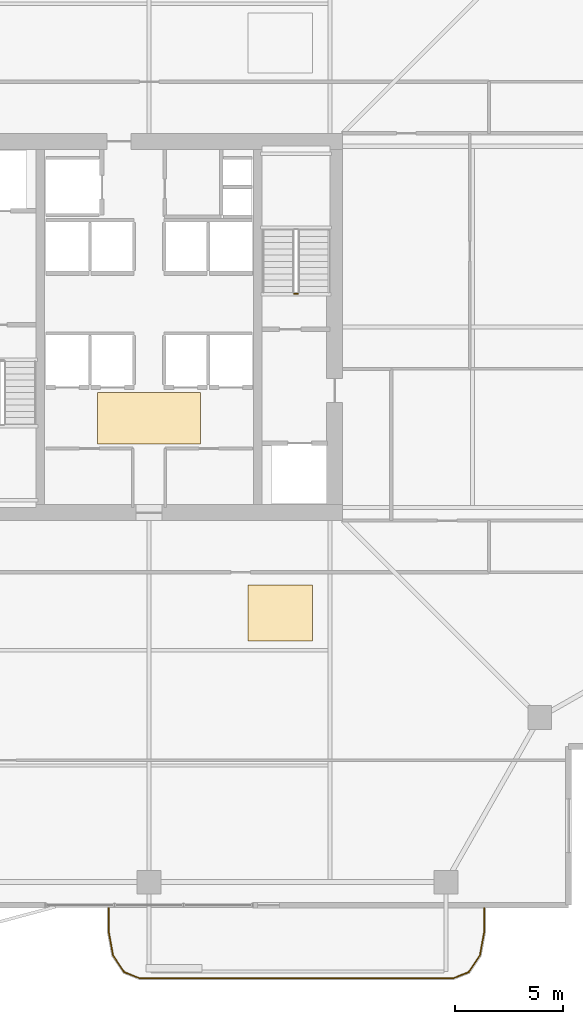
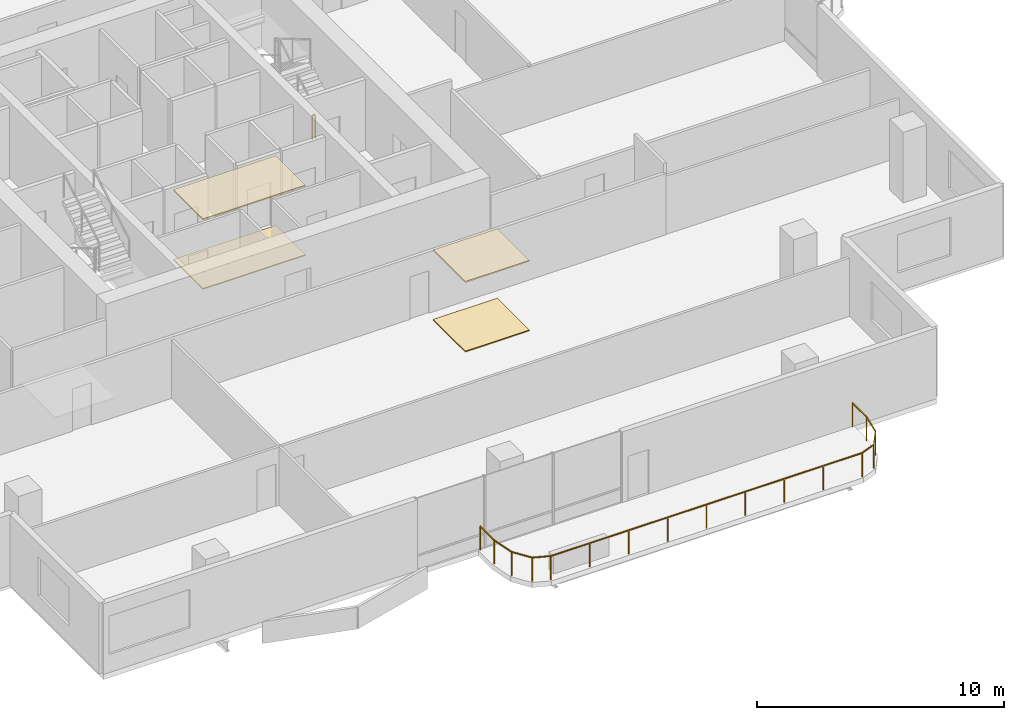
# One storey, part 22 of 24: 4 coverings, 2 railings.
"""IFC4 building model written with IfcOpenShell, lengths in metres."""

from ifc_helpers import new_model, si_unit, direction, frame, origin, origin_2d, place, context, subcontext, project, spatial, polyline, rectangle, outline, extrude, material, layer, layer_set, type_object, element, save


model = new_model("IFC4")

# Units and contexts
model_context = context("Model", 3, precision=1e-05, world=origin(), true_north=direction((0.0, 1.0)))
body_context = subcontext(model_context, "Body", "Model", "MODEL_VIEW")
ifc_project = project(units=[si_unit("LENGTHUNIT", "METRE"), si_unit("AREAUNIT", "SQUARE_METRE"), si_unit("VOLUMEUNIT", "CUBIC_METRE"), si_unit("PLANEANGLEUNIT", "RADIAN"), si_unit("MASSUNIT", "GRAM", prefix="KILO")], contexts=[model_context])

# Site, building, storey
site_placement = place(None, origin())
site = spatial("IfcSite", under=ifc_project, at=site_placement, CompositionType="ELEMENT")
building_placement = place(site_placement, origin())
building = spatial("IfcBuilding", under=site, at=building_placement, Name="Belovzor Exchange Tower", CompositionType="ELEMENT")
storey_placement = place(building_placement, frame((0.0, 0.0, 214.949951171875)))
storey = spatial("IfcBuildingStorey", under=building, at=storey_placement, Name="L53", CompositionType="ELEMENT", Elevation=214.949951171875)

# Railings
ifc_material_1 = material(Name="Stainless Steel and Laminated Safety Glass", Category="steel")
railing_type_1 = type_object("IfcRailingType", Name="Laminated Glass & Stainless Steel Balcony Balustrade 1200", PredefinedType="BALUSTRADE", material=ifc_material_1)
railing_1_placement = place(storey_placement, frame((26.929931640625, 1.7900390625, 0.0)))
element("IfcRailing", 1, at=railing_1_placement, inside=storey, type_object=railing_type_1, Name="GR-1 Balcony Balustrade L53 South", PredefinedType="BALUSTRADE", context=body_context, shape_type="SweptSolid", body=[
    extrude(rectangle(XDim=0.048095703125, YDim=0.048095703125, at=origin_2d()), frame((0.0, 0.0, 1.17578125), z_axis=(0.0, -1.0, 0.0), x_axis=(1.0, 0.0, 0.0)), (0.0, 0.0, 1.0), 1.133056640625),
    extrude(rectangle(XDim=0.048095703125, YDim=0.048095703125, at=origin_2d()), frame((0.0, -1.133056640625, 1.17578125), z_axis=(0.180122719713, -0.983644145941, 0.0), x_axis=(0.983644145941, 0.180122719713, 0.0)), (0.0, 0.0, 1.0), 1.09375),
    extrude(rectangle(XDim=0.048095703125, YDim=0.048095703125, at=origin_2d()), frame((0.197021484375, -2.208984375, 1.17578125), z_axis=(0.56294695933, -0.826493025367, 0.0), x_axis=(0.826493025367, 0.56294695933, 0.0)), (0.0, 0.0, 1.0), 0.932861328125),
    extrude(rectangle(XDim=0.048095703125, YDim=0.048095703125, at=origin_2d()), frame((0.72216796875, -2.97998046875, 1.17578125), z_axis=(0.930766990125, -0.365612923861, 0.0), x_axis=(0.365612923861, 0.930766990125, 0.0)), (0.0, 0.0, 1.0), 0.765869140625),
    extrude(rectangle(XDim=0.048095703125, YDim=0.048095703125, at=origin_2d()), frame((1.43505859375, -3.260009765625, 1.17578125), z_axis=(1.0, 0.0, 0.0), x_axis=(0.0, 1.0, 0.0)), (0.0, 0.0, 1.0), 14.570068359375),
    extrude(rectangle(XDim=0.048095703125, YDim=0.048095703125, at=origin_2d()), frame((16.005126953125, -3.260009765625, 1.17578125), z_axis=(0.930766990125, 0.365612923861, 0.0), x_axis=(-0.365612923861, 0.930766990125, 0.0)), (0.0, 0.0, 1.0), 0.765869140625),
    extrude(rectangle(XDim=0.048095703125, YDim=0.048095703125, at=origin_2d()), frame((16.718017578125, -2.97998046875, 1.17578125), z_axis=(0.56294695933, 0.826493025367, 0.0), x_axis=(-0.826493025367, 0.56294695933, 0.0)), (0.0, 0.0, 1.0), 0.932861328125),
    extrude(rectangle(XDim=0.048095703125, YDim=0.048095703125, at=origin_2d()), frame((17.2431640625, -2.208984375, 1.17578125), z_axis=(0.180122719713, 0.983644145941, 0.0), x_axis=(-0.983644145941, 0.180122719713, 0.0)), (0.0, 0.0, 1.0), 1.09375),
    extrude(rectangle(XDim=0.048095703125, YDim=0.048095703125, at=origin_2d()), frame((17.440185546875, -1.133056640625, 1.17578125), z_axis=(0.0, 1.0, 0.0), x_axis=(-1.0, 0.0, 0.0)), (0.0, 0.0, 1.0), 1.133056640625),
    extrude(rectangle(XDim=0.0419921875, YDim=0.0419921875, at=origin_2d()), origin(), (0.0, 0.0, 1.0), 1.15185546875),
    extrude(rectangle(XDim=0.0419921875, YDim=0.0419921875, at=origin_2d()), frame((0.0, -1.133056640625, 0.0)), (0.0, 0.0, 1.0), 1.15185546875),
    extrude(rectangle(XDim=0.0419921875, YDim=0.0419921875, at=origin_2d()), frame((0.197021484375, -2.208984375, 0.0)), (0.0, 0.0, 1.0), 1.15185546875),
    extrude(rectangle(XDim=0.0419921875, YDim=0.0419921875, at=origin_2d()), frame((0.72216796875, -2.97998046875, 0.0)), (0.0, 0.0, 1.0), 1.15185546875),
    extrude(rectangle(XDim=0.0419921875, YDim=0.0419921875, at=origin_2d()), frame((1.43505859375, -3.260009765625, 0.0)), (0.0, 0.0, 1.0), 1.15185546875),
    extrude(rectangle(XDim=0.0419921875, YDim=0.0419921875, at=origin_2d()), frame((3.25634765625, -3.260009765625, 0.0)), (0.0, 0.0, 1.0), 1.15185546875),
    extrude(rectangle(XDim=0.0419921875, YDim=0.0419921875, at=origin_2d()), frame((5.07763671875, -3.260009765625, 0.0)), (0.0, 0.0, 1.0), 1.15185546875),
    extrude(rectangle(XDim=0.0419921875, YDim=0.0419921875, at=origin_2d()), frame((6.89892578125, -3.260009765625, 0.0)), (0.0, 0.0, 1.0), 1.15185546875),
    extrude(rectangle(XDim=0.0419921875, YDim=0.0419921875, at=origin_2d()), frame((8.72021484375, -3.260009765625, 0.0)), (0.0, 0.0, 1.0), 1.15185546875),
    extrude(rectangle(XDim=0.0419921875, YDim=0.0419921875, at=origin_2d()), frame((10.541259765625, -3.260009765625, 0.0)), (0.0, 0.0, 1.0), 1.15185546875),
    extrude(rectangle(XDim=0.0419921875, YDim=0.0419921875, at=origin_2d()), frame((12.362548828125, -3.260009765625, 0.0)), (0.0, 0.0, 1.0), 1.15185546875),
    extrude(rectangle(XDim=0.0419921875, YDim=0.0419921875, at=origin_2d()), frame((14.183837890625, -3.260009765625, 0.0)), (0.0, 0.0, 1.0), 1.15185546875),
    extrude(rectangle(XDim=0.0419921875, YDim=0.0419921875, at=origin_2d()), frame((16.005126953125, -3.260009765625, 0.0)), (0.0, 0.0, 1.0), 1.15185546875),
    extrude(rectangle(XDim=0.0419921875, YDim=0.0419921875, at=origin_2d()), frame((16.718017578125, -2.97998046875, 0.0)), (0.0, 0.0, 1.0), 1.15185546875),
    extrude(rectangle(XDim=0.0419921875, YDim=0.0419921875, at=origin_2d()), frame((17.2431640625, -2.208984375, 0.0)), (0.0, 0.0, 1.0), 1.15185546875),
    extrude(rectangle(XDim=0.0419921875, YDim=0.0419921875, at=origin_2d()), frame((17.440185546875, -1.133056640625, 0.0)), (0.0, 0.0, 1.0), 1.15185546875),
    extrude(rectangle(XDim=0.0419921875, YDim=0.0419921875, at=origin_2d()), frame((17.440185546875, 0.0, 0.0)), (0.0, 0.0, 1.0), 1.15185546875),
])
ifc_material_2 = material(Name="Steel S355", Category="steel")
railing_type_2 = type_object("IfcRailingType", Name="Painted Steel Stairwell Guardrail 1200", PredefinedType="GUARDRAIL", material=ifc_material_2)
railing_2_placement = place(storey_placement, frame((35.699951171875, 30.35009765625, 0.0)))
element("IfcRailing", 2, at=railing_2_placement, inside=storey, type_object=railing_type_2, Name="L53 ST-2 stair guard 4", PredefinedType="GUARDRAIL", context=body_context, shape_type="SweptSolid", body=[
    extrude(rectangle(XDim=0.048095703125, YDim=0.048095703125, at=origin_2d()), frame((0.0, 0.0, 1.17578125), z_axis=(-1.0, 0.0, 0.0), x_axis=(0.0, -1.0, 0.0)), (0.0, 0.0, 1.0), 0.14990234375),
    extrude(rectangle(XDim=0.0419921875, YDim=0.0419921875, at=origin_2d()), origin(), (0.0, 0.0, 1.0), 1.15185546875),
    extrude(rectangle(XDim=0.0419921875, YDim=0.0419921875, at=origin_2d()), frame((-0.14990234375, 0.0, 0.0)), (0.0, 0.0, 1.0), 1.15185546875),
])

# Coverings
ifc_material_3 = material(Name="Perforated Powder-Coated Aluminium", Category="aluminium")
ifc_layer_1 = layer(ifc_material_3, 0.06005859375)
ifc_layer_set_1 = layer_set([ifc_layer_1], Name="Perforated Powder-Coated Aluminium")
covering_type_1 = type_object("IfcCoveringType", Name="Perforated Acoustic Metal Tile Suspended Ceiling 60", PredefinedType="CEILING", material=ifc_layer_set_1)
covering_1_placement = place(storey_placement, frame((0.0, 0.0, 3.43994140625)))
element("IfcCovering", 3, at=covering_1_placement, inside=storey, type_object=covering_type_1, Name="CLG-AC60 Suspended Ceiling CLG-L53-LOB", PredefinedType="CEILING", context=body_context, shape_type="SweptSolid", body=[
    extrude(outline(polyline([(26.39990234375, 23.35009765625), (31.199951171875, 23.35009765625), (31.199951171875, 25.75), (26.39990234375, 25.75), (26.39990234375, 23.35009765625)])), origin(), (0.0, 0.0, 1.0), 0.06005859375),
])
covering_2_placement = place(storey_placement, frame((0.0, 0.0, 3.43994140625)))
element("IfcCovering", 4, at=covering_2_placement, inside=storey, type_object=covering_type_1, Name="CLG-AC60 Suspended Ceiling CLG-L53-Z1", PredefinedType="CEILING", context=body_context, shape_type="SweptSolid", body=[
    extrude(outline(polyline([(33.39990234375, 14.199951171875), (36.39990234375, 14.199951171875), (36.39990234375, 16.800048828125), (33.39990234375, 16.800048828125), (33.39990234375, 14.199951171875)])), origin(), (0.0, 0.0, 1.0), 0.06005859375),
])
ifc_material_4 = material(Name="Polished Natural Granite Tile", Category="masonry")
ifc_layer_2 = layer(ifc_material_4, 0.050048828125)
ifc_layer_set_2 = layer_set([ifc_layer_2], Name="Polished Natural Granite Tile")
covering_type_2 = type_object("IfcCoveringType", Name="Polished Karelian Granite & Raised Access Floor Finish 50", PredefinedType="FLOORING", material=ifc_layer_set_2)
covering_3_placement = place(storey_placement, origin())
element("IfcCovering", 5, at=covering_3_placement, inside=storey, type_object=covering_type_2, Name="FLR-GR50 Floor Finish FLR-L53-LOB", PredefinedType="FLOORING", context=body_context, shape_type="SweptSolid", body=[
    extrude(outline(polyline([(26.39990234375, 23.35009765625), (31.199951171875, 23.35009765625), (31.199951171875, 25.75), (26.39990234375, 25.75), (26.39990234375, 23.35009765625)])), origin(), (0.0, 0.0, 1.0), 0.050048828125),
])
covering_4_placement = place(storey_placement, origin())
element("IfcCovering", 6, at=covering_4_placement, inside=storey, type_object=covering_type_2, Name="FLR-GR50 Floor Finish FLR-L53-Z1", PredefinedType="FLOORING", context=body_context, shape_type="SweptSolid", body=[
    extrude(outline(polyline([(33.39990234375, 14.199951171875), (36.39990234375, 14.199951171875), (36.39990234375, 16.800048828125), (33.39990234375, 16.800048828125), (33.39990234375, 14.199951171875)])), origin(), (0.0, 0.0, 1.0), 0.050048828125),
])

save(model, "model.ifc")
